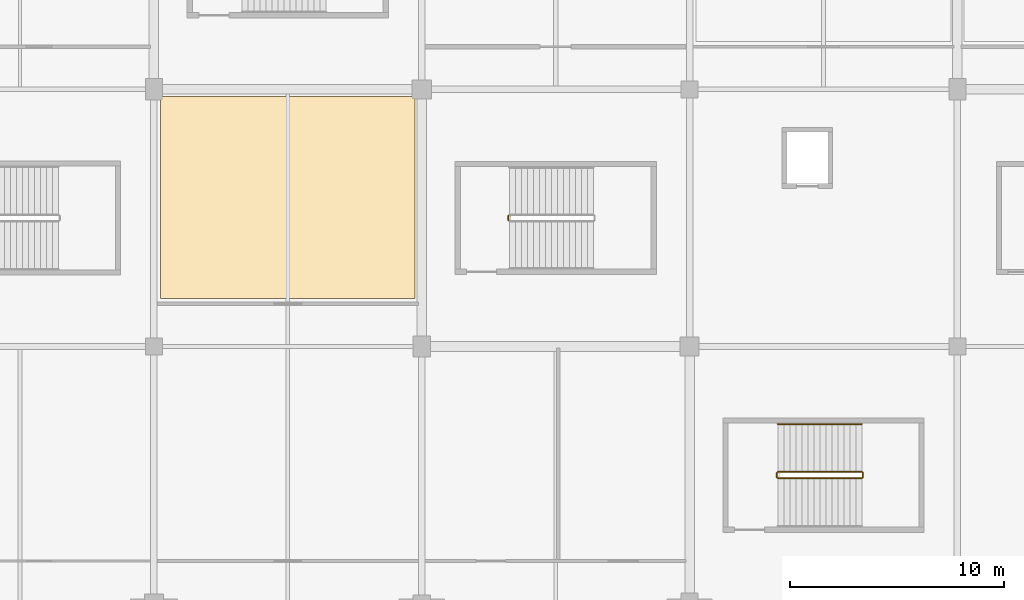
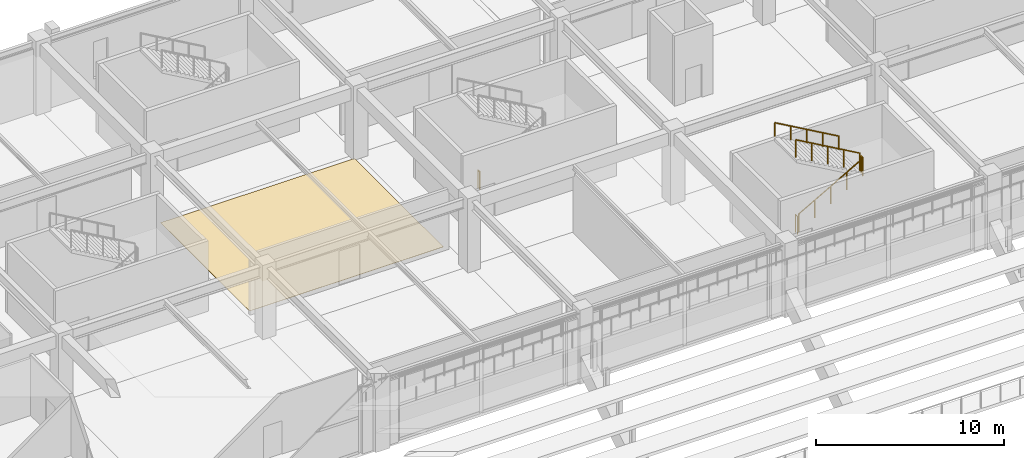
# One storey, part 126 of 134: 6 railings, 1 covering.
"""IFC4 building model written with IfcOpenShell, lengths in metres."""

from ifc_helpers import new_model, si_unit, direction, frame, origin, origin_2d, place, context, subcontext, project, spatial, polyline, circle, outline, extrude, material, layer, layer_set, type_object, element, save


model = new_model("IFC4")

# Units and contexts
model_context = context("Model", 3, precision=1e-05, world=origin(), true_north=direction((0.0, 1.0)))
body_context = subcontext(model_context, "Body", "Model", "MODEL_VIEW")
ifc_project = project(units=[si_unit("LENGTHUNIT", "METRE"), si_unit("AREAUNIT", "SQUARE_METRE"), si_unit("VOLUMEUNIT", "CUBIC_METRE"), si_unit("PLANEANGLEUNIT", "RADIAN"), si_unit("MASSUNIT", "GRAM", prefix="KILO")], contexts=[model_context])

# Site, building, storey
site_placement = place(None, origin())
site = spatial("IfcSite", under=ifc_project, at=site_placement, CompositionType="ELEMENT")
building_placement = place(site_placement, origin())
building = spatial("IfcBuilding", under=site, at=building_placement, Name="Kazenohara Klinker Stadium", CompositionType="ELEMENT")
storey_placement = place(building_placement, frame((0.0, 0.0, 5.39990234375)))
storey = spatial("IfcBuildingStorey", under=building, at=storey_placement, Name="L01", CompositionType="ELEMENT", Elevation=5.39990234375)

# Covering
ifc_material_1 = material(Name="Slip-resistant honed basalt terrazzo flooring", Category="masonry")
ifc_layer_1 = layer(ifc_material_1, 0.02001953125)
ifc_layer_set_1 = layer_set([ifc_layer_1], Name="Slip-resistant honed basalt terrazzo flooring")
covering_type = type_object("IfcCoveringType", Name="COV-FLR-01", PredefinedType="FLOORING", material=ifc_layer_set_1)
covering_placement = place(storey_placement, origin())
element("IfcCovering", 1, at=covering_placement, inside=storey, type_object=covering_type, Name="Interior floor finish FL01 Youth Sports Coaching Classroom L01-0512A", PredefinedType="FLOORING", context=body_context, shape_type="SweptSolid", body=[
    extrude(outline(polyline([(61.81005859375, 146.22998046875), (73.68994140625, 146.22998046875), (73.68994140625, 155.669921875), (61.81005859375, 155.669921875), (61.81005859375, 146.22998046875)])), origin(), (0.0, 0.0, 1.0), 0.02001953125),
])

# Railings
ifc_material_2 = material(Name="Brushed stainless steel 304 handrail", Category="steel")
ifc_layer_2 = layer(ifc_material_2, 0.050048828125)
ifc_layer_set_2 = layer_set([ifc_layer_2], Name="Brushed stainless steel 304 handrail")
railing_type_1 = type_object("IfcRailingType", Name="RL-HND-900", PredefinedType="HANDRAIL", material=ifc_layer_set_2)
railing_1_placement = place(storey_placement, frame((94.5400390625, 140.3798828125, 2.56005859375)))
element("IfcRailing", 2, at=railing_1_placement, inside=storey, type_object=railing_type_1, Name="L01 ST19 stair handrail 2", PredefinedType="HANDRAIL", context=body_context, shape_type="SweptSolid", body=[
    extrude(circle(Radius=0.02392578125, at=origin_2d()), frame((0.0, 0.0, 0.8759765625), z_axis=(-0.868239814368, 0.0, 0.496144761885), x_axis=(0.0, -1.0, 0.0)), (0.0, 0.0, 1.0), 4.514892578125),
    extrude(circle(Radius=0.02099609375, at=origin_2d()), origin(), (0.0, 0.0, 1.0), 0.851806640625),
    extrude(circle(Radius=0.02099609375, at=origin_2d()), frame((-0.97998046875, 0.0, 0.56005859375)), (0.0, 0.0, 1.0), 0.851806640625),
    extrude(circle(Radius=0.02099609375, at=origin_2d()), frame((-1.9599609375, 0.0, 1.1201171875)), (0.0, 0.0, 1.0), 0.851806640625),
    extrude(circle(Radius=0.02099609375, at=origin_2d()), frame((-2.93994140625, 0.0, 1.679931640625)), (0.0, 0.0, 1.0), 0.851806640625),
    extrude(circle(Radius=0.02099609375, at=origin_2d()), frame((-3.919921875, 0.0, 2.239990234375)), (0.0, 0.0, 1.0), 0.851806640625),
])
ifc_material_3 = material(Name="Painted steel stairwell guardrail", Category="steel")
ifc_layer_3 = layer(ifc_material_3, 0.06005859375)
ifc_layer_set_3 = layer_set([ifc_layer_3], Name="Painted steel stairwell guardrail")
railing_type_2 = type_object("IfcRailingType", Name="RL-STG-1120", PredefinedType="GUARDRAIL", material=ifc_layer_set_3)
railing_2_placement = place(storey_placement, frame((78.0400390625, 149.89990234375, 0.0)))
element("IfcRailing", 3, at=railing_2_placement, inside=storey, type_object=railing_type_2, Name="L01 ST09 stair guard 4", PredefinedType="GUARDRAIL", context=body_context, shape_type="SweptSolid", body=[
    extrude(circle(Radius=0.02392578125, at=origin_2d()), frame((0.0, 0.0, 1.1259765625), z_axis=(0.0, 1.0, 0.0), x_axis=(-1.0, 0.0, 0.0)), (0.0, 0.0, 1.0), 0.2001953125),
    extrude(circle(Radius=0.02099609375, at=origin_2d()), origin(), (0.0, 0.0, 1.0), 1.101806640625),
    extrude(circle(Radius=0.02099609375, at=origin_2d()), frame((0.0, 0.2001953125, 0.0)), (0.0, 0.0, 1.0), 1.101806640625),
])
railing_3_placement = place(storey_placement, frame((90.6201171875, 137.85009765625, 0.16015625)))
element("IfcRailing", 4, at=railing_3_placement, inside=storey, type_object=railing_type_2, Name="L01 ST19 stair guard 1", PredefinedType="GUARDRAIL", context=body_context, shape_type="SweptSolid", body=[
    extrude(circle(Radius=0.02392578125, at=origin_2d()), frame((0.0, 0.0, 1.1259765625), z_axis=(0.868239814368, 0.0, 0.496144761885), x_axis=(0.0, 1.0, 0.0)), (0.0, 0.0, 1.0), 4.514892578125),
    extrude(circle(Radius=0.02099609375, at=origin_2d()), origin(), (0.0, 0.0, 1.0), 1.101806640625),
    extrude(circle(Radius=0.02099609375, at=origin_2d()), frame((0.97998046875, 0.0, 0.56005859375)), (0.0, 0.0, 1.0), 1.101806640625),
    extrude(circle(Radius=0.02099609375, at=origin_2d()), frame((1.9599609375, 0.0, 1.1201171875)), (0.0, 0.0, 1.0), 1.101806640625),
    extrude(circle(Radius=0.02099609375, at=origin_2d()), frame((2.93994140625, 0.0, 1.679931640625)), (0.0, 0.0, 1.0), 1.101806640625),
    extrude(circle(Radius=0.02099609375, at=origin_2d()), frame((3.919921875, 0.0, 2.239990234375)), (0.0, 0.0, 1.0), 1.101806640625),
])
railing_4_placement = place(storey_placement, frame((94.590087890625, 137.89990234375, 2.400146484375)))
element("IfcRailing", 5, at=railing_4_placement, inside=storey, type_object=railing_type_2, Name="L01 ST19 stair guard 2", PredefinedType="GUARDRAIL", context=body_context, shape_type="SweptSolid", body=[
    extrude(circle(Radius=0.02392578125, at=origin_2d()), frame((0.0, 0.0, 1.1259765625), z_axis=(0.0, 1.0, 0.0), x_axis=(-1.0, 0.0, 0.0)), (0.0, 0.0, 1.0), 0.2001953125),
    extrude(circle(Radius=0.02099609375, at=origin_2d()), origin(), (0.0, 0.0, 1.0), 1.101806640625),
    extrude(circle(Radius=0.02099609375, at=origin_2d()), frame((0.0, 0.2001953125, 0.0)), (0.0, 0.0, 1.0), 1.101806640625),
])
railing_5_placement = place(storey_placement, frame((94.5400390625, 138.14990234375, 2.56005859375)))
element("IfcRailing", 6, at=railing_5_placement, inside=storey, type_object=railing_type_2, Name="L01 ST19 stair guard 3", PredefinedType="GUARDRAIL", context=body_context, shape_type="SweptSolid", body=[
    extrude(circle(Radius=0.02392578125, at=origin_2d()), frame((0.0, 0.0, 1.1259765625), z_axis=(-0.868239814368, 0.0, 0.496144761885), x_axis=(0.0, -1.0, 0.0)), (0.0, 0.0, 1.0), 4.514892578125),
    extrude(circle(Radius=0.02099609375, at=origin_2d()), origin(), (0.0, 0.0, 1.0), 1.101806640625),
    extrude(circle(Radius=0.02099609375, at=origin_2d()), frame((-0.97998046875, 0.0, 0.56005859375)), (0.0, 0.0, 1.0), 1.101806640625),
    extrude(circle(Radius=0.02099609375, at=origin_2d()), frame((-1.9599609375, 0.0, 1.1201171875)), (0.0, 0.0, 1.0), 1.101806640625),
    extrude(circle(Radius=0.02099609375, at=origin_2d()), frame((-2.93994140625, 0.0, 1.679931640625)), (0.0, 0.0, 1.0), 1.101806640625),
    extrude(circle(Radius=0.02099609375, at=origin_2d()), frame((-3.919921875, 0.0, 2.239990234375)), (0.0, 0.0, 1.0), 1.101806640625),
])
railing_6_placement = place(storey_placement, frame((90.570068359375, 137.89990234375, 0.0)))
element("IfcRailing", 7, at=railing_6_placement, inside=storey, type_object=railing_type_2, Name="L01 ST19 stair guard 4", PredefinedType="GUARDRAIL", context=body_context, shape_type="SweptSolid", body=[
    extrude(circle(Radius=0.02392578125, at=origin_2d()), frame((0.0, 0.0, 1.1259765625), z_axis=(0.0, 1.0, 0.0), x_axis=(-1.0, 0.0, 0.0)), (0.0, 0.0, 1.0), 0.2001953125),
    extrude(circle(Radius=0.02099609375, at=origin_2d()), origin(), (0.0, 0.0, 1.0), 1.101806640625),
    extrude(circle(Radius=0.02099609375, at=origin_2d()), frame((0.0, 0.2001953125, 0.0)), (0.0, 0.0, 1.0), 1.101806640625),
])

save(model, "model.ifc")
